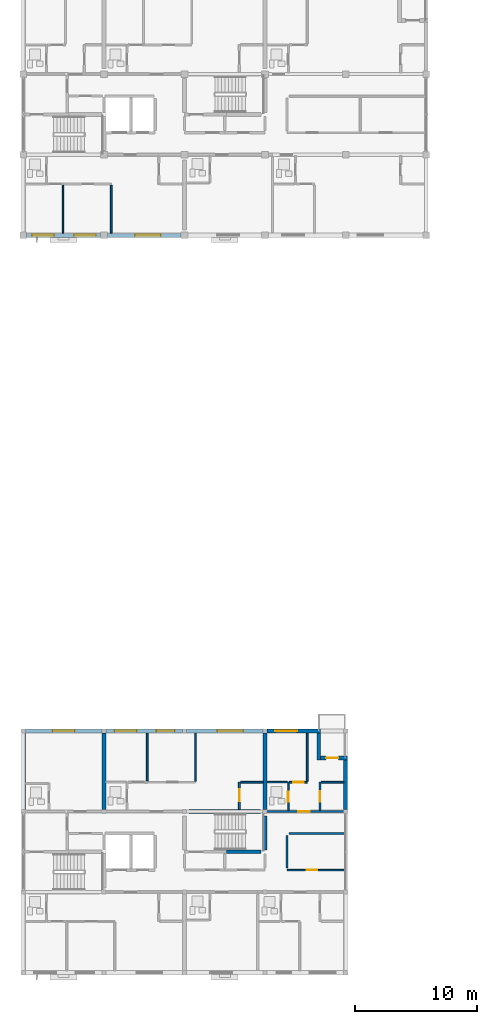
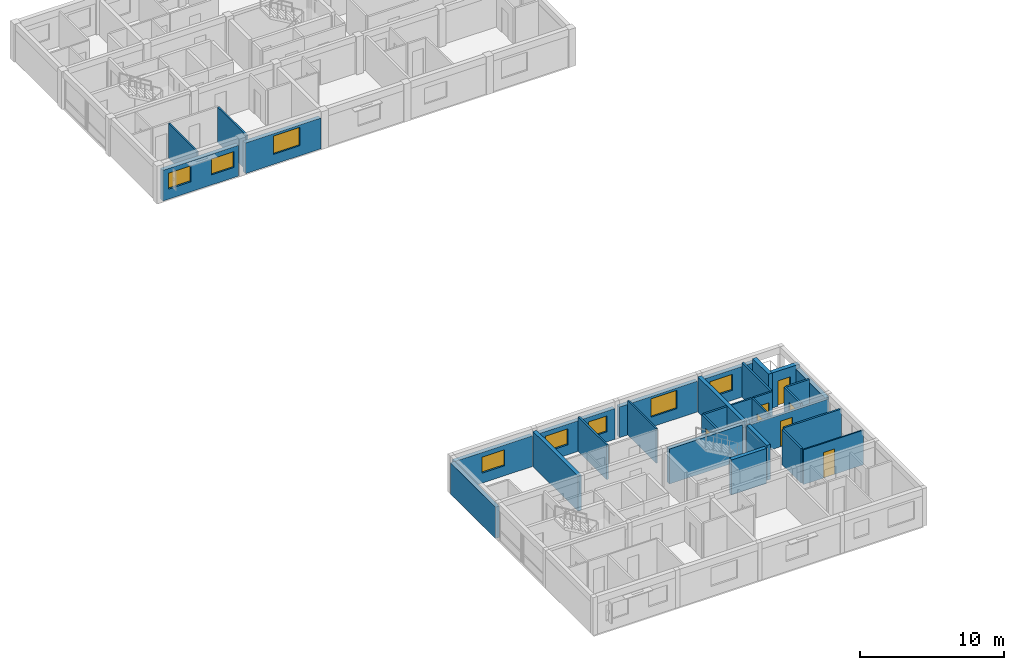
# One storey, part 29 of 53: 31 walls, 8 windows, 7 doors, 15 openings.
"""IFC4 building model written with IfcOpenShell, lengths in metres."""

import ifcopenshell
import ifcopenshell.guid

model = None  # the IFC model being written
_history = None  # IfcOwnerHistory: only IFC2X3 demands one
_inside = {}  # id of a spatial element -> (the spatial element, [elements in it])
_under = {}  # id of a project, library or spatial element -> (it, [spatial elements below it])
_declared = {}  # id of a project -> (the project, [libraries it declares])
_typed = {}  # id of a type object -> (the type object, [elements of that type])
_made_of = {}  # id of a material, layer set ... -> (it, [elements and type objects made of it])


def new_model(schema):
    """Start an empty IFC model of exactly this schema.

    Asked for "IFC4X3", IfcOpenShell would pick the latest addendum, in which some entities
    have other attributes; the version numbers below select the first issue.
    IFC2X3 requires an IfcOwnerHistory on every rooted entity: one is made here for all.
    """
    global model, _history
    if schema == "IFC4X3":
        model = ifcopenshell.file(schema_version=(4, 3, 0, 0))
    else:
        model = ifcopenshell.file(schema=schema)
    _inside.clear()
    _under.clear()
    _declared.clear()
    _typed.clear()
    _made_of.clear()
    _history = None
    if model.schema == "IFC2X3":
        org = make("IfcOrganization", Name="unknown")
        user = make(
            "IfcPersonAndOrganization",
            ThePerson=make("IfcPerson", FamilyName="unknown"),
            TheOrganization=org,
        )
        app = make(
            "IfcApplication",
            ApplicationDeveloper=org,
            Version="unknown",
            ApplicationFullName="unknown",
            ApplicationIdentifier="unknown",
        )
        _history = make(
            "IfcOwnerHistory",
            OwningUser=user,
            OwningApplication=app,
            ChangeAction="ADDED",
            CreationDate=0,
        )
    return model


def make(cls, **values):
    """One entity of the class cls with the attributes given. An attribute that is None is left unset."""
    return model.create_entity(
        cls, **{name: value for name, value in values.items() if value is not None}
    )


def rooted(cls, **values):
    """An entity with a GlobalId (a new one), such as an element, a storey or a relation."""
    return make(cls, GlobalId=ifcopenshell.guid.new(), OwnerHistory=_history, **values)


def si_unit(unit_type, name, prefix=None):
    """IfcSIUnit, for example si_unit("LENGTHUNIT", "METRE", prefix="MILLI")."""
    return make("IfcSIUnit", UnitType=unit_type, Prefix=prefix, Name=name)


def assignment(units):
    """IfcUnitAssignment: the units of a project."""
    return None if units is None else make("IfcUnitAssignment", Units=units)


def point(xyz):
    """IfcCartesianPoint."""
    return None if xyz is None else make("IfcCartesianPoint", Coordinates=xyz)


def direction(xyz):
    """IfcDirection."""
    return None if xyz is None else make("IfcDirection", DirectionRatios=xyz)


def frame(location, z_axis=None, x_axis=None):
    """IfcAxis2Placement3D, a coordinate frame: its origin and axes. An axis left out is left unset."""
    return make(
        "IfcAxis2Placement3D",
        Location=point(location),
        Axis=direction(z_axis),
        RefDirection=direction(x_axis),
    )


def frame_2d(location, x_axis=None):
    """IfcAxis2Placement2D, a coordinate frame in the plane: its origin and x axis."""
    return make(
        "IfcAxis2Placement2D", Location=point(location), RefDirection=direction(x_axis)
    )


def origin():
    """The frame at (0, 0, 0) with its axes left unset."""
    return frame((0.0, 0.0, 0.0))


def place(relative_to, where):
    """IfcLocalPlacement: puts the frame where relative to a parent placement (None: the world)."""
    return make(
        "IfcLocalPlacement", PlacementRelTo=relative_to, RelativePlacement=where
    )


def context(
    kind, dimensions, precision=None, world=None, true_north=None, identifier=None
):
    """IfcGeometricRepresentationContext, for example the 3D "Model" context."""
    return make(
        "IfcGeometricRepresentationContext",
        ContextIdentifier=identifier,
        ContextType=kind,
        CoordinateSpaceDimension=dimensions,
        Precision=precision,
        WorldCoordinateSystem=world,
        TrueNorth=true_north,
    )


def subcontext(parent, identifier, kind, view, scale=None):
    """IfcGeometricRepresentationSubContext, for example "Body" below "Model"."""
    return make(
        "IfcGeometricRepresentationSubContext",
        ContextIdentifier=identifier,
        ContextType=kind,
        ParentContext=parent,
        TargetScale=scale,
        TargetView=view,
    )


def project(units=None, contexts=None):
    """IfcProject with its units and contexts."""
    return rooted(
        "IfcProject",
        Name="project",
        RepresentationContexts=contexts,
        UnitsInContext=assignment(units),
    )


def spatial(cls, under=None, at=None, **own):
    """A site, building, storey or space (cls), placed at a placement, below another one or the project."""
    s = rooted(cls, ObjectPlacement=at, **own)
    if under is not None:
        _under.setdefault(under.id(), (under, []))[1].append(s)
    return s


def profile(cls, at=None, kind="AREA", **sizes):
    """A parametric profile (cls). Its sizes go by their IFC names, for example OverallWidth=200.0."""
    return make(cls, ProfileType=kind, Position=at, **sizes)


def rectangle(**sizes):
    """IfcRectangleProfileDef."""
    return profile("IfcRectangleProfileDef", **sizes)


def extrude(swept, where, along, depth):
    """IfcExtrudedAreaSolid: the profile swept, set in the frame where, extruded along a direction by depth."""
    return make(
        "IfcExtrudedAreaSolid",
        SweptArea=swept,
        Position=where,
        ExtrudedDirection=direction(along),
        Depth=depth,
    )


def shape(context_of_items, identifier, shape_type, items):
    """IfcShapeRepresentation: the items that make up one representation, for example the "Body"."""
    return make(
        "IfcShapeRepresentation",
        ContextOfItems=context_of_items,
        RepresentationIdentifier=identifier,
        RepresentationType=shape_type,
        Items=items,
    )


def material(Name=None, Category=None):
    """IfcMaterial."""
    return make("IfcMaterial", Name=Name, Category=Category)


def layer(
    of_material, thickness, ventilated=None, Name=None, Category=None, Priority=None
):
    """IfcMaterialLayer: one layer of a wall or slab, of a material (None: an air gap)."""
    return make(
        "IfcMaterialLayer",
        Material=of_material,
        LayerThickness=thickness,
        IsVentilated=ventilated,
        Name=Name,
        Category=Category,
        Priority=Priority,
    )


def layer_set(layers, Name=None):
    """IfcMaterialLayerSet."""
    return make("IfcMaterialLayerSet", MaterialLayers=layers, LayerSetName=Name)


def made_of(thing, what):
    """Note that an element or type object is made of a material, layer set ...; save() writes the relation."""
    if what is not None:
        _made_of.setdefault(what.id(), (what, []))[1].append(thing)
    return thing


def type_object(cls, material=None, **own):
    """A type object (cls), such as IfcWallType, which elements share."""
    return made_of(rooted(cls, **own), material)


def element(
    cls,
    number,
    at=None,
    inside=None,
    cuts=None,
    type_object=None,
    material=None,
    context=None,
    identifier="Body",
    shape_type=None,
    held_by="IfcProductDefinitionShape",
    body=None,
    shapes=None,
    **own,
):
    """One element of the class cls, such as IfcWall. Its Tag is "e" and its number.

    at: its placement. inside: the storey or other place that contains it. cuts: it is an
    opening in that element (IfcRelVoidsElement). A single representation is given by context,
    identifier, shape_type and body (its items); several are given by shapes. held_by: the class
    of the entity that holds the representations. save() writes the other relations.
    """
    e = rooted(cls, Tag="e%d" % number, ObjectPlacement=at, **own)
    if body is not None:
        shapes = [shape(context, identifier, shape_type, body)]
    if shapes is not None:
        e.Representation = make(held_by, Representations=shapes)
    if inside is not None:
        _inside.setdefault(inside.id(), (inside, []))[1].append(e)
    if cuts is not None:
        rooted(
            "IfcRelVoidsElement", RelatingBuildingElement=cuts, RelatedOpeningElement=e
        )
    if type_object is not None:
        _typed.setdefault(type_object.id(), (type_object, []))[1].append(e)
    return made_of(e, material)


def fill(opening, filler):
    """IfcRelFillsElement: the door or window that sits in an opening."""
    return rooted(
        "IfcRelFillsElement",
        RelatingOpeningElement=opening,
        RelatedBuildingElement=filler,
    )


def aggregate(whole, parts):
    """IfcRelAggregates: a whole, such as a stair, and the parts it consists of."""
    return rooted("IfcRelAggregates", RelatingObject=whole, RelatedObjects=parts)


def save(model, path):
    """Write the relations noted so far, then the file.

    IfcRelAggregates (storeys below a building ...), IfcRelContainedInSpatialStructure (elements
    in a storey), IfcRelDefinesByType, IfcRelAssociatesMaterial and IfcRelDeclares: one each for
    every whole, place, type object, material and project.
    """
    for whole, parts in _under.values():
        aggregate(whole, parts)
    for where, things in _inside.values():
        rooted(
            "IfcRelContainedInSpatialStructure",
            RelatedElements=things,
            RelatingStructure=where,
        )
    for kind, things in _typed.values():
        rooted("IfcRelDefinesByType", RelatedObjects=things, RelatingType=kind)
    for what, things in _made_of.values():
        rooted("IfcRelAssociatesMaterial", RelatedObjects=things, RelatingMaterial=what)
    for by, libraries in _declared.values():
        rooted("IfcRelDeclares", RelatingContext=by, RelatedDefinitions=libraries)
    model.write(path)


model = new_model("IFC4")

# Units and contexts
model_context = context("Model", 3, precision=1e-05, world=origin(), true_north=direction((0.0, 1.0)))
body_context = subcontext(model_context, "Body", "Model", "MODEL_VIEW")
ifc_project = project(units=[si_unit("LENGTHUNIT", "METRE"), si_unit("AREAUNIT", "SQUARE_METRE"), si_unit("VOLUMEUNIT", "CUBIC_METRE"), si_unit("PLANEANGLEUNIT", "RADIAN"), si_unit("MASSUNIT", "GRAM", prefix="KILO")], contexts=[model_context])

# Site, building, storey
site_placement = place(None, origin())
site = spatial("IfcSite", under=ifc_project, at=site_placement, CompositionType="ELEMENT")
building_placement = place(site_placement, origin())
building = spatial("IfcBuilding", under=site, at=building_placement, Name="Kernevlak Ridge Housing Community", CompositionType="ELEMENT")
storey_placement = place(building_placement, frame((0.0, 0.0, 24.39990234375)))
storey = spatial("IfcBuildingStorey", under=building, at=storey_placement, Name="L07", CompositionType="ELEMENT", Elevation=24.39990234375)

# Wall, openings, windows
ifc_material_1 = material(Name="Concrete block masonry M10", Category="masonry")
ifc_layer_1 = layer(ifc_material_1, 0.320068359375, Name="Concrete block masonry M10")
ifc_layer_set_1 = layer_set([ifc_layer_1], Name="Concrete block masonry M10")
wall_type_1 = type_object("IfcWallType", Name="EW-02", PredefinedType="STANDARD", material=ifc_layer_set_1)
wall_1_placement = place(storey_placement, frame((15.875, 76.0, 0.0), z_axis=(0.0, 0.0, 1.0), x_axis=(1.0, 0.0, 0.0)))
wall_1 = element("IfcWall", 1, at=wall_1_placement, inside=storey, type_object=wall_type_1, Name="Exterior wall EW-02 L07 109", PredefinedType="STANDARD", context=body_context, shape_type="SweptSolid", body=[
    extrude(rectangle(XDim=6.050048828125, YDim=0.320068359375, at=frame_2d((3.02490234375, 0.0))), origin(), (0.0, 0.0, 1.0), 2.60009765625),
])
opening_1_placement = place(wall_1_placement, frame((0.449951171875, 0.0, 0.85009765625)))
opening_1 = element("IfcOpeningElement", 2, at=opening_1_placement, cuts=wall_1, Name="Opening WT-03", PredefinedType="OPENING", context=body_context, shape_type="SweptSolid", body=[
    extrude(rectangle(XDim=1.800048828125, YDim=1.35009765625, at=frame_2d((0.89990234375, 0.675048828125))), frame((0.0, 0.169921875, 0.0), z_axis=(0.0, -1.0, 0.0), x_axis=(1.0, 0.0, 0.0)), (0.0, 0.0, 1.0), 0.340087890625),
])
opening_2_placement = place(wall_1_placement, frame((3.875, 0.0, 0.85009765625)))
opening_2 = element("IfcOpeningElement", 3, at=opening_2_placement, cuts=wall_1, Name="Opening WT-03", PredefinedType="OPENING", context=body_context, shape_type="SweptSolid", body=[
    extrude(rectangle(XDim=1.800048828125, YDim=1.35009765625, at=frame_2d((0.89990234375, 0.675048828125))), frame((0.0, 0.169921875, 0.0), z_axis=(0.0, -1.0, 0.0), x_axis=(1.0, 0.0, 0.0)), (0.0, 0.0, 1.0), 0.340087890625),
])
ifc_material_2 = material(Name="Aluminium EN AW-6060 anodised and laminated glass", Category="aluminium")
window_type_1 = type_object("IfcWindowType", Name="WT-03", PartitioningType="SINGLE_PANEL", PredefinedType="WINDOW", material=ifc_material_2)
window_1_placement = place(opening_1_placement, origin())
window_1 = element("IfcWindow", 4, at=window_1_placement, inside=storey, type_object=window_type_1, Name="Window WT-03 L07 83", OverallHeight=1.35009765625, OverallWidth=1.800048828125, PartitioningType="SINGLE_PANEL", PredefinedType="WINDOW", context=body_context, shape_type="SweptSolid", body=[
    extrude(rectangle(XDim=1.800048828125, YDim=1.35009765625, at=frame_2d((0.89990234375, 0.675048828125))), frame((0.0, 0.030029296875, 0.0), z_axis=(0.0, -1.0, 0.0), x_axis=(1.0, 0.0, 0.0)), (0.0, 0.0, 1.0), 0.06005859375),
])
fill(opening_1, window_1)
window_2_placement = place(opening_2_placement, origin())
window_2 = element("IfcWindow", 5, at=window_2_placement, inside=storey, type_object=window_type_1, Name="Window WT-03 L07 84", OverallHeight=1.35009765625, OverallWidth=1.800048828125, PartitioningType="SINGLE_PANEL", PredefinedType="WINDOW", context=body_context, shape_type="SweptSolid", body=[
    extrude(rectangle(XDim=1.800048828125, YDim=1.35009765625, at=frame_2d((0.89990234375, 0.675048828125))), frame((0.0, 0.030029296875, 0.0), z_axis=(0.0, -1.0, 0.0), x_axis=(1.0, 0.0, 0.0)), (0.0, 0.0, 1.0), 0.06005859375),
])
fill(opening_2, window_2)

# Wall, opening, window
wall_2_placement = place(storey_placement, frame((22.47509765625, 76.0, 0.0), z_axis=(0.0, 0.0, 1.0), x_axis=(1.0, 0.0, 0.0)))
wall_2 = element("IfcWall", 6, at=wall_2_placement, inside=storey, type_object=wall_type_1, Name="Exterior wall EW-02 L07 110", PredefinedType="STANDARD", context=body_context, shape_type="SweptSolid", body=[
    extrude(rectangle(XDim=6.0498046875, YDim=0.320068359375, at=frame_2d((3.02490234375, 0.0))), origin(), (0.0, 0.0, 1.0), 2.60009765625),
])
opening_3_placement = place(wall_2_placement, frame((2.27099609375, 0.0, 0.85009765625)))
opening_3 = element("IfcOpeningElement", 7, at=opening_3_placement, cuts=wall_2, Name="Opening WT-05", PredefinedType="OPENING", context=body_context, shape_type="SweptSolid", body=[
    extrude(rectangle(XDim=2.10009765625, YDim=1.550048828125, at=frame_2d((1.050048828125, 0.77490234375))), frame((0.0, 0.169921875, 0.0), z_axis=(0.0, -1.0, 0.0), x_axis=(1.0, 0.0, 0.0)), (0.0, 0.0, 1.0), 0.340087890625),
])
window_type_2 = type_object("IfcWindowType", Name="WT-05", PartitioningType="SINGLE_PANEL", PredefinedType="WINDOW", material=ifc_material_2)
window_3_placement = place(opening_3_placement, origin())
window_3 = element("IfcWindow", 8, at=window_3_placement, inside=storey, type_object=window_type_2, Name="Window WT-05 L07 85", OverallHeight=1.550048828125, OverallWidth=2.10009765625, PartitioningType="SINGLE_PANEL", PredefinedType="WINDOW", context=body_context, shape_type="SweptSolid", body=[
    extrude(rectangle(XDim=2.10009765625, YDim=1.550048828125, at=frame_2d((1.050048828125, 0.77490234375))), frame((0.0, 0.030029296875, 0.0), z_axis=(0.0, -1.0, 0.0), x_axis=(1.0, 0.0, 0.0)), (0.0, 0.0, 1.0), 0.06005859375),
])
fill(opening_3, window_3)

wall_3_placement = place(storey_placement, frame((15.77490234375, 35.39990234375, 0.0), z_axis=(0.0, 0.0, 1.0), x_axis=(1.0, 0.0, 0.0)))
wall_3 = element("IfcWall", 9, at=wall_3_placement, inside=storey, type_object=wall_type_1, Name="Exterior wall EW-02 L07 813", PredefinedType="STANDARD", context=body_context, shape_type="SweptSolid", body=[
    extrude(rectangle(XDim=6.25, YDim=0.320068359375, at=frame_2d((3.125, 0.0))), origin(), (0.0, 0.0, 1.0), 2.60009765625),
])
opening_4_placement = place(wall_3_placement, frame((2.22509765625, 0.0, 0.85009765625)))
opening_4 = element("IfcOpeningElement", 10, at=opening_4_placement, cuts=wall_3, Name="Opening WT-03", PredefinedType="OPENING", context=body_context, shape_type="SweptSolid", body=[
    extrude(rectangle(XDim=1.800048828125, YDim=1.35009765625, at=frame_2d((0.89990234375, 0.675048828125))), frame((0.0, 0.169921875, 0.0), z_axis=(0.0, -1.0, 0.0), x_axis=(1.0, 0.0, 0.0)), (0.0, 0.0, 1.0), 0.340087890625),
])
window_4_placement = place(opening_4_placement, origin())
window_4 = element("IfcWindow", 11, at=window_4_placement, inside=storey, type_object=window_type_1, Name="Window WT-03 L07 678", OverallHeight=1.35009765625, OverallWidth=1.800048828125, PartitioningType="SINGLE_PANEL", PredefinedType="WINDOW", context=body_context, shape_type="SweptSolid", body=[
    extrude(rectangle(XDim=1.800048828125, YDim=1.35009765625, at=frame_2d((0.89990234375, 0.675048828125))), frame((0.0, 0.030029296875, 0.0), z_axis=(0.0, -1.0, 0.0), x_axis=(1.0, 0.0, 0.0)), (0.0, 0.0, 1.0), 0.06005859375),
])
fill(opening_4, window_4)

# Wall, openings, windows
wall_4_placement = place(storey_placement, frame((22.375, 35.39990234375, 0.0), z_axis=(0.0, 0.0, 1.0), x_axis=(1.0, 0.0, 0.0)))
wall_4 = element("IfcWall", 12, at=wall_4_placement, inside=storey, type_object=wall_type_1, Name="Exterior wall EW-02 L07 814", PredefinedType="STANDARD", context=body_context, shape_type="SweptSolid", body=[
    extrude(rectangle(XDim=6.25, YDim=0.320068359375, at=frame_2d((3.125, 0.0))), origin(), (0.0, 0.0, 1.0), 2.60009765625),
])
opening_5_placement = place(wall_4_placement, frame((0.699951171875, 0.0, 0.85009765625)))
opening_5 = element("IfcOpeningElement", 13, at=opening_5_placement, cuts=wall_4, Name="Opening WT-03", PredefinedType="OPENING", context=body_context, shape_type="SweptSolid", body=[
    extrude(rectangle(XDim=1.800048828125, YDim=1.35009765625, at=frame_2d((0.89990234375, 0.675048828125))), frame((0.0, 0.169921875, 0.0), z_axis=(0.0, -1.0, 0.0), x_axis=(1.0, 0.0, 0.0)), (0.0, 0.0, 1.0), 0.340087890625),
])
opening_6_placement = place(wall_4_placement, frame((4.125, 0.0, 0.85009765625)))
opening_6 = element("IfcOpeningElement", 14, at=opening_6_placement, cuts=wall_4, Name="Opening WT-02", PredefinedType="OPENING", context=body_context, shape_type="SweptSolid", body=[
    extrude(rectangle(XDim=1.5, YDim=1.35009765625, at=frame_2d((0.75, 0.675048828125))), frame((0.0, 0.169921875, 0.0), z_axis=(0.0, -1.0, 0.0), x_axis=(1.0, 0.0, 0.0)), (0.0, 0.0, 1.0), 0.340087890625),
])
window_type_3 = type_object("IfcWindowType", Name="WT-02", PartitioningType="SINGLE_PANEL", PredefinedType="WINDOW", material=ifc_material_2)
window_5_placement = place(opening_6_placement, origin())
window_5 = element("IfcWindow", 15, at=window_5_placement, inside=storey, type_object=window_type_3, Name="Window WT-02 L07 680", OverallHeight=1.35009765625, OverallWidth=1.5, PartitioningType="SINGLE_PANEL", PredefinedType="WINDOW", context=body_context, shape_type="SweptSolid", body=[
    extrude(rectangle(XDim=1.5, YDim=1.35009765625, at=frame_2d((0.75, 0.675048828125))), frame((0.0, 0.030029296875, 0.0), z_axis=(0.0, -1.0, 0.0), x_axis=(1.0, 0.0, 0.0)), (0.0, 0.0, 1.0), 0.06005859375),
])
fill(opening_6, window_5)
window_6_placement = place(opening_5_placement, origin())
window_6 = element("IfcWindow", 16, at=window_6_placement, inside=storey, type_object=window_type_1, Name="Window WT-03 L07 679", OverallHeight=1.35009765625, OverallWidth=1.800048828125, PartitioningType="SINGLE_PANEL", PredefinedType="WINDOW", context=body_context, shape_type="SweptSolid", body=[
    extrude(rectangle(XDim=1.800048828125, YDim=1.35009765625, at=frame_2d((0.89990234375, 0.675048828125))), frame((0.0, 0.030029296875, 0.0), z_axis=(0.0, -1.0, 0.0), x_axis=(1.0, 0.0, 0.0)), (0.0, 0.0, 1.0), 0.06005859375),
])
fill(opening_5, window_6)

# Wall, opening, window
wall_5_placement = place(storey_placement, frame((28.97509765625, 35.39990234375, 0.0), z_axis=(0.0, 0.0, 1.0), x_axis=(1.0, 0.0, 0.0)))
wall_5 = element("IfcWall", 17, at=wall_5_placement, inside=storey, type_object=wall_type_1, Name="Exterior wall EW-02 L07 815", PredefinedType="STANDARD", context=body_context, shape_type="SweptSolid", body=[
    extrude(rectangle(XDim=6.25, YDim=0.320068359375, at=frame_2d((3.125, 0.0))), origin(), (0.0, 0.0, 1.0), 2.60009765625),
])
opening_7_placement = place(wall_5_placement, frame((2.52099609375, 0.0, 0.85009765625)))
opening_7 = element("IfcOpeningElement", 18, at=opening_7_placement, cuts=wall_5, Name="Opening WT-05", PredefinedType="OPENING", context=body_context, shape_type="SweptSolid", body=[
    extrude(rectangle(XDim=2.10009765625, YDim=1.550048828125, at=frame_2d((1.050048828125, 0.77490234375))), frame((0.0, 0.169921875, 0.0), z_axis=(0.0, -1.0, 0.0), x_axis=(1.0, 0.0, 0.0)), (0.0, 0.0, 1.0), 0.340087890625),
])
window_7_placement = place(opening_7_placement, origin())
window_7 = element("IfcWindow", 19, at=window_7_placement, inside=storey, type_object=window_type_2, Name="Window WT-05 L07 681", OverallHeight=1.550048828125, OverallWidth=2.10009765625, PartitioningType="SINGLE_PANEL", PredefinedType="WINDOW", context=body_context, shape_type="SweptSolid", body=[
    extrude(rectangle(XDim=2.10009765625, YDim=1.550048828125, at=frame_2d((1.050048828125, 0.77490234375))), frame((0.0, 0.030029296875, 0.0), z_axis=(0.0, -1.0, 0.0), x_axis=(1.0, 0.0, 0.0)), (0.0, 0.0, 1.0), 0.06005859375),
])
fill(opening_7, window_7)

wall_6_placement = place(storey_placement, frame((35.574951171875, 35.39990234375, 0.0), z_axis=(0.0, 0.0, 1.0), x_axis=(1.0, 0.0, 0.0)))
wall_6 = element("IfcWall", 20, at=wall_6_placement, inside=storey, type_object=wall_type_1, Name="Exterior wall EW-02 L07 816", PredefinedType="STANDARD", context=body_context, shape_type="SweptSolid", body=[
    extrude(rectangle(XDim=4.385009765625, YDim=0.320068359375, at=frame_2d((2.1923828125, 0.0))), origin(), (0.0, 0.0, 1.0), 2.60009765625),
])
opening_8_placement = place(wall_6_placement, frame((0.64990234375, 0.0, 0.85009765625)))
opening_8 = element("IfcOpeningElement", 21, at=opening_8_placement, cuts=wall_6, Name="Opening WT-03", PredefinedType="OPENING", context=body_context, shape_type="SweptSolid", body=[
    extrude(rectangle(XDim=1.800048828125, YDim=1.35009765625, at=frame_2d((0.89990234375, 0.675048828125))), frame((0.0, 0.169921875, 0.0), z_axis=(0.0, -1.0, 0.0), x_axis=(1.0, 0.0, 0.0)), (0.0, 0.0, 1.0), 0.340087890625),
])
window_8_placement = place(opening_8_placement, origin())
window_8 = element("IfcWindow", 22, at=window_8_placement, inside=storey, type_object=window_type_1, Name="Window WT-03 L07 682", OverallHeight=1.35009765625, OverallWidth=1.800048828125, PartitioningType="SINGLE_PANEL", PredefinedType="WINDOW", context=body_context, shape_type="SweptSolid", body=[
    extrude(rectangle(XDim=1.800048828125, YDim=1.35009765625, at=frame_2d((0.89990234375, 0.675048828125))), frame((0.0, 0.030029296875, 0.0), z_axis=(0.0, -1.0, 0.0), x_axis=(1.0, 0.0, 0.0)), (0.0, 0.0, 1.0), 0.06005859375),
])
fill(opening_8, window_8)

# Wall
wall_7_placement = place(storey_placement, frame((39.800048828125, 35.239990234375, 0.0), z_axis=(0.0, 0.0, 1.0), x_axis=(0.0, -1.0, 0.0)))
element("IfcWall", 23, at=wall_7_placement, inside=storey, type_object=wall_type_1, Name="Exterior wall EW-02 L07 817", PredefinedType="STANDARD", context=body_context, shape_type="SweptSolid", body=[
    extrude(rectangle(XDim=2.199951171875, YDim=0.320068359375, at=frame_2d((1.10009765625, 0.0))), origin(), (0.0, 0.0, 1.0), 2.97021484375),
])

# Wall, opening, door
wall_8_placement = place(storey_placement, frame((39.9599609375, 33.199951171875, 0.0), z_axis=(0.0, 0.0, 1.0), x_axis=(1.0, 0.0, 0.0)))
wall_8 = element("IfcWall", 24, at=wall_8_placement, inside=storey, type_object=wall_type_1, Name="Exterior wall EW-02 L07 818", PredefinedType="STANDARD", context=body_context, shape_type="SweptSolid", body=[
    extrude(rectangle(XDim=2.199951171875, YDim=0.320068359375, at=frame_2d((1.10009765625, 0.0))), origin(), (0.0, 0.0, 1.0), 2.97021484375),
])
opening_9_placement = place(wall_8_placement, frame((0.43994140625, 0.0, 0.0)))
opening_9 = element("IfcOpeningElement", 25, at=opening_9_placement, cuts=wall_8, Name="Opening E734", PredefinedType="OPENING", context=body_context, shape_type="SweptSolid", body=[
    extrude(rectangle(XDim=1.0, YDim=2.14990234375, at=frame_2d((0.5, 1.074951171875))), frame((0.0, 0.169921875, 0.0), z_axis=(0.0, -1.0, 0.0), x_axis=(1.0, 0.0, 0.0)), (0.0, 0.0, 1.0), 0.340087890625),
])
ifc_material_3 = material(Name="Aluminium EN AW-6060 and laminated safety glass", Category="aluminium")
door_type_1 = type_object("IfcDoorType", Name="DT-08", OperationType="NOTDEFINED", PredefinedType="DOOR", material=ifc_material_3)
door_1_placement = place(opening_9_placement, origin())
door_1 = element("IfcDoor", 26, at=door_1_placement, inside=storey, type_object=door_type_1, Name="Flat D0723 corner balcony glazed door E734", OperationType="SINGLE_SWING_LEFT", OverallHeight=2.14990234375, OverallWidth=1.0, PredefinedType="DOOR", context=body_context, shape_type="SweptSolid", body=[
    extrude(rectangle(XDim=1.0, YDim=2.14990234375, at=frame_2d((0.5, 1.074951171875))), frame((0.0, 0.02490234375, 0.0), z_axis=(0.0, -1.0, 0.0), x_axis=(1.0, 0.0, 0.0)), (0.0, 0.0, 1.0), 0.050048828125),
])
fill(opening_9, door_1)

# Walls
wall_9_placement = place(storey_placement, frame((15.60009765625, 28.97509765625, 0.0), z_axis=(0.0, 0.0, 1.0), x_axis=(0.0, 1.0, 0.0)))
element("IfcWall", 27, at=wall_9_placement, inside=storey, type_object=wall_type_1, Name="Exterior wall EW-02 L07 820", PredefinedType="STANDARD", context=body_context, shape_type="SweptSolid", body=[
    extrude(rectangle(XDim=6.25, YDim=0.320068359375, at=frame_2d((3.125, 0.0))), origin(), (0.0, 0.0, 1.0), 2.650146484375),
])
wall_10_placement = place(storey_placement, frame((42.0, 28.97509765625, 0.0), z_axis=(0.0, 0.0, 1.0), x_axis=(0.0, 1.0, 0.0)))
element("IfcWall", 28, at=wall_10_placement, inside=storey, type_object=wall_type_1, Name="Exterior wall EW-02 L07 822", PredefinedType="STANDARD", context=body_context, shape_type="SweptSolid", body=[
    extrude(rectangle(XDim=4.06494140625, YDim=0.320068359375, at=frame_2d((2.032470703125, 0.0))), origin(), (0.0, 0.0, 1.0), 2.650146484375),
])

# Wall, opening, door
ifc_layer_2 = layer(ifc_material_1, 0.175048828125, Name="Concrete block masonry M10")
ifc_layer_set_2 = layer_set([ifc_layer_2], Name="Concrete block masonry M10")
wall_type_2 = type_object("IfcWallType", Name="PW-02", PredefinedType="PARTITIONING", material=ifc_layer_set_2)
wall_11_placement = place(storey_placement, frame((35.39990234375, 28.800048828125, 0.0), z_axis=(0.0, 0.0, 1.0), x_axis=(1.0, 0.0, 0.0)))
wall_11 = element("IfcWall", 29, at=wall_11_placement, inside=storey, type_object=wall_type_2, Name="Interior wall PW-02 WAL-INT-L07-3412", PredefinedType="PARTITIONING", context=body_context, shape_type="SweptSolid", body=[
    extrude(rectangle(XDim=6.60009765625, YDim=0.175048828125, at=frame_2d((3.300048828125, 0.0))), origin(), (0.0, 0.0, 1.0), 2.7001953125),
])
opening_10_placement = place(wall_11_placement, frame((2.72509765625, 0.0, 0.0)))
opening_10 = element("IfcOpeningElement", 30, at=opening_10_placement, cuts=wall_11, Name="Opening E730", PredefinedType="OPENING", context=body_context, shape_type="SweptSolid", body=[
    extrude(rectangle(XDim=0.949951171875, YDim=2.159912109375, at=frame_2d((0.47509765625, 1.080078125))), frame((0.0, 0.097412109375, 0.0), z_axis=(0.0, -1.0, 0.0), x_axis=(1.0, 0.0, 0.0)), (0.0, 0.0, 1.0), 0.195068359375),
])
ifc_material_4 = material(Name="Hardwood timber solid-core fire leaf", Category="wood")
door_type_2 = type_object("IfcDoorType", Name="DT-02", OperationType="NOTDEFINED", PredefinedType="DOOR", material=ifc_material_4)
door_2_placement = place(opening_10_placement, origin())
door_2 = element("IfcDoor", 31, at=door_2_placement, inside=storey, type_object=door_type_2, Name="Flat D0723 entrance fire door E730", OperationType="SINGLE_SWING_LEFT", OverallHeight=2.159912109375, OverallWidth=0.949951171875, PredefinedType="DOOR", context=body_context, shape_type="SweptSolid", body=[
    extrude(rectangle(XDim=0.949951171875, YDim=2.159912109375, at=frame_2d((0.47509765625, 1.080078125))), frame((0.0, 0.02490234375, 0.0), z_axis=(0.0, -1.0, 0.0), x_axis=(1.0, 0.0, 0.0)), (0.0, 0.0, 1.0), 0.050048828125),
])
fill(opening_10, door_2)

# Walls
ifc_layer_3 = layer(ifc_material_1, 0.14501953125, Name="Concrete block masonry M10")
ifc_layer_set_3 = layer_set([ifc_layer_3], Name="Concrete block masonry M10")
wall_type_3 = type_object("IfcWallType", Name="PW-03", PredefinedType="PARTITIONING", material=ifc_layer_set_3)
wall_12_placement = place(storey_placement, frame((22.7919921875, 80.117431640625, 0.0), z_axis=(0.0, 0.0, 1.0), x_axis=(0.0, -1.0, 0.0)))
element("IfcWall", 32, at=wall_12_placement, inside=storey, type_object=wall_type_3, Name="Interior wall PW-03 WAL-INT-L07-0468", PredefinedType="PARTITIONING", context=body_context, shape_type="SweptSolid", body=[
    extrude(rectangle(XDim=3.947509765625, YDim=0.14501953125, at=frame_2d((1.9736328125, 0.0))), origin(), (0.0, 0.0, 1.0), 2.97021484375),
])
wall_13_placement = place(storey_placement, frame((37.3798828125, 27.0, 0.0), z_axis=(0.0, 0.0, 1.0), x_axis=(1.0, 0.0, 0.0)))
element("IfcWall", 33, at=wall_13_placement, inside=storey, type_object=wall_type_3, Name="Interior wall PW-03 WAL-INT-L07-3377", PredefinedType="PARTITIONING", context=body_context, shape_type="SweptSolid", body=[
    extrude(rectangle(XDim=4.60009765625, YDim=0.14501953125, at=frame_2d((2.300048828125, 0.0))), origin(), (0.0, 0.0, 1.0), 2.93505859375),
])
wall_14_placement = place(storey_placement, frame((37.199951171875, 24.179931640625, 0.0), z_axis=(0.0, 0.0, 1.0), x_axis=(0.0, 1.0, 0.0)))
element("IfcWall", 34, at=wall_14_placement, inside=storey, type_object=wall_type_3, Name="Interior wall PW-03 WAL-INT-L07-3378", PredefinedType="PARTITIONING", context=body_context, shape_type="SweptSolid", body=[
    extrude(rectangle(XDim=2.64013671875, YDim=0.14501953125, at=frame_2d((1.320068359375, 0.0))), origin(), (0.0, 0.0, 1.0), 2.93505859375),
])
wall_15_placement = place(storey_placement, frame((25.75, 31.282470703125, 0.0), z_axis=(0.0, 0.0, 1.0), x_axis=(0.0, 1.0, 0.0)))
element("IfcWall", 35, at=wall_15_placement, inside=storey, type_object=wall_type_3, Name="Interior wall PW-03 WAL-INT-L07-3409", PredefinedType="PARTITIONING", context=body_context, shape_type="SweptSolid", body=[
    extrude(rectangle(XDim=3.947509765625, YDim=0.14501953125, at=frame_2d((1.9736328125, 0.0))), origin(), (0.0, 0.0, 1.0), 2.93505859375),
])

# Wall, opening, door
wall_16_placement = place(storey_placement, frame((37.37255859375, 31.199951171875, 0.0), z_axis=(0.0, 0.0, 1.0), x_axis=(1.0, 0.0, 0.0)))
wall_16 = element("IfcWall", 36, at=wall_16_placement, inside=storey, type_object=wall_type_3, Name="Interior wall PW-03 WAL-INT-L07-3417", PredefinedType="PARTITIONING", context=body_context, shape_type="SweptSolid", body=[
    extrude(rectangle(XDim=1.4775390625, YDim=0.14501953125, at=frame_2d((0.73876953125, 0.0))), origin(), (0.0, 0.0, 1.0), 2.93505859375),
])
opening_11_placement = place(wall_16_placement, frame((0.35009765625, 0.0, 0.0)))
opening_11 = element("IfcOpeningElement", 37, at=opening_11_placement, cuts=wall_16, Name="Opening E733", PredefinedType="OPENING", context=body_context, shape_type="SweptSolid", body=[
    extrude(rectangle(XDim=0.85009765625, YDim=2.10009765625, at=frame_2d((0.425048828125, 1.050048828125))), frame((0.0, 0.08251953125, 0.0), z_axis=(0.0, -1.0, 0.0), x_axis=(1.0, 0.0, 0.0)), (0.0, 0.0, 1.0), 0.1650390625),
])
ifc_material_5 = material(Name="Hardwood timber leaf", Category="wood")
door_type_3 = type_object("IfcDoorType", Name="DT-03", OperationType="NOTDEFINED", PredefinedType="DOOR", material=ifc_material_5)
door_3_placement = place(opening_11_placement, origin())
door_3 = element("IfcDoor", 38, at=door_3_placement, inside=storey, type_object=door_type_3, Name="Flat D0723 bedroom door E733", OperationType="SINGLE_SWING_RIGHT", OverallHeight=2.10009765625, OverallWidth=0.85009765625, PredefinedType="DOOR", context=body_context, shape_type="SweptSolid", body=[
    extrude(rectangle(XDim=0.85009765625, YDim=2.10009765625, at=frame_2d((0.425048828125, 1.050048828125))), frame((0.0, 0.02490234375, 0.0), z_axis=(0.0, -1.0, 0.0), x_axis=(1.0, 0.0, 0.0)), (0.0, 0.0, 1.0), 0.050048828125),
])
fill(opening_11, door_3)

# Wall
wall_17_placement = place(storey_placement, frame((38.85009765625, 31.282470703125, 0.0), z_axis=(0.0, 0.0, 1.0), x_axis=(0.0, 1.0, 0.0)))
element("IfcWall", 39, at=wall_17_placement, inside=storey, type_object=wall_type_3, Name="Interior wall PW-03 WAL-INT-L07-3418", PredefinedType="PARTITIONING", context=body_context, shape_type="SweptSolid", body=[
    extrude(rectangle(XDim=3.947509765625, YDim=0.14501953125, at=frame_2d((1.9736328125, 0.0))), origin(), (0.0, 0.0, 1.0), 2.93505859375),
])

# Wall, opening, door
ifc_material_6 = material(Name="Gypsum plasterboard EN 520", Category="gypsum")
ifc_layer_4 = layer(ifc_material_6, 0.125, Name="Gypsum plasterboard EN 520")
ifc_layer_set_4 = layer_set([ifc_layer_4], Name="Gypsum plasterboard EN 520")
wall_type_4 = type_object("IfcWallType", Name="PW-04", PredefinedType="PARTITIONING", material=ifc_layer_set_4)
wall_18_placement = place(storey_placement, frame((37.300048828125, 28.8974609375, 0.0), z_axis=(0.0, 0.0, 1.0), x_axis=(0.0, 1.0, 0.0)))
wall_18 = element("IfcWall", 40, at=wall_18_placement, inside=storey, type_object=wall_type_4, Name="Interior wall PW-04 WAL-INT-L07-3413", PredefinedType="PARTITIONING", context=body_context, shape_type="SweptSolid", body=[
    extrude(rectangle(XDim=2.302490234375, YDim=0.125, at=frame_2d((1.1513671875, 0.0))), origin(), (0.0, 0.0, 1.0), 2.93505859375),
])
opening_12_placement = place(wall_18_placement, frame((0.699951171875, 0.0, 0.0)))
opening_12 = element("IfcOpeningElement", 41, at=opening_12_placement, cuts=wall_18, Name="Opening E731", PredefinedType="OPENING", context=body_context, shape_type="SweptSolid", body=[
    extrude(rectangle(XDim=0.840087890625, YDim=2.06005859375, at=frame_2d((0.419921875, 1.030029296875))), frame((0.0, 0.072509765625, 0.0), z_axis=(0.0, -1.0, 0.0), x_axis=(1.0, 0.0, 0.0)), (0.0, 0.0, 1.0), 0.14501953125),
])
ifc_material_7 = material(Name="Hardwood timber moisture-resistant leaf", Category="wood")
door_type_4 = type_object("IfcDoorType", Name="DT-27", OperationType="NOTDEFINED", PredefinedType="DOOR", material=ifc_material_7)
door_4_placement = place(opening_12_placement, origin())
door_4 = element("IfcDoor", 42, at=door_4_placement, inside=storey, type_object=door_type_4, Name="Flat D0723 bathroom door E731", OperationType="SINGLE_SWING_RIGHT", OverallHeight=2.06005859375, OverallWidth=0.840087890625, PredefinedType="DOOR", context=body_context, shape_type="SweptSolid", body=[
    extrude(rectangle(XDim=0.840087890625, YDim=2.06005859375, at=frame_2d((0.419921875, 1.030029296875))), frame((0.0, 0.02490234375, 0.0), z_axis=(0.0, -1.0, 0.0), x_axis=(1.0, 0.0, 0.0)), (0.0, 0.0, 1.0), 0.050048828125),
])
fill(opening_12, door_4)

# Wall
wall_19_placement = place(storey_placement, frame((35.56005859375, 31.199951171875, 0.0), z_axis=(0.0, 0.0, 1.0), x_axis=(1.0, 0.0, 0.0)))
element("IfcWall", 43, at=wall_19_placement, inside=storey, type_object=wall_type_4, Name="Interior wall PW-04 WAL-INT-L07-3414", PredefinedType="PARTITIONING", context=body_context, shape_type="SweptSolid", body=[
    extrude(rectangle(XDim=1.659912109375, YDim=0.125, at=frame_2d((0.830078125, 0.0))), origin(), (0.0, 0.0, 1.0), 2.93505859375),
])

# Wall, opening, door
ifc_layer_5 = layer(ifc_material_6, 0.155029296875, Name="Gypsum plasterboard EN 520")
ifc_layer_set_5 = layer_set([ifc_layer_5], Name="Gypsum plasterboard EN 520")
wall_type_5 = type_object("IfcWallType", Name="PW-05", PredefinedType="PARTITIONING", material=ifc_layer_set_5)
wall_20_placement = place(storey_placement, frame((33.300048828125, 28.9599609375, 0.0), z_axis=(0.0, 0.0, 1.0), x_axis=(0.0, 1.0, 0.0)))
wall_20 = element("IfcWall", 44, at=wall_20_placement, inside=storey, type_object=wall_type_5, Name="Interior wall PW-05 WAL-INT-L07-3406", PredefinedType="PARTITIONING", context=body_context, shape_type="SweptSolid", body=[
    extrude(rectangle(XDim=2.239990234375, YDim=0.155029296875, at=frame_2d((1.1201171875, 0.0))), origin(), (0.0, 0.0, 1.0), 2.93505859375),
])
opening_13_placement = place(wall_20_placement, frame((0.699951171875, 0.0, 0.0)))
opening_13 = element("IfcOpeningElement", 45, at=opening_13_placement, cuts=wall_20, Name="Opening E727", PredefinedType="OPENING", context=body_context, shape_type="SweptSolid", body=[
    extrude(rectangle(XDim=0.97998046875, YDim=2.1201171875, at=frame_2d((0.489990234375, 1.06005859375))), frame((0.0, 0.08740234375, 0.0), z_axis=(0.0, -1.0, 0.0), x_axis=(1.0, 0.0, 0.0)), (0.0, 0.0, 1.0), 0.175048828125),
])
door_type_5 = type_object("IfcDoorType", Name="DT-24", OperationType="NOTDEFINED", PredefinedType="DOOR", material=ifc_material_5)
door_5_placement = place(opening_13_placement, origin())
door_5 = element("IfcDoor", 46, at=door_5_placement, inside=storey, type_object=door_type_5, Name="Flat D0722 kitchen door E727", OperationType="SINGLE_SWING_RIGHT", OverallHeight=2.1201171875, OverallWidth=0.97998046875, PredefinedType="DOOR", context=body_context, shape_type="SweptSolid", body=[
    extrude(rectangle(XDim=0.97998046875, YDim=2.1201171875, at=frame_2d((0.489990234375, 1.06005859375))), frame((0.0, 0.02490234375, 0.0), z_axis=(0.0, -1.0, 0.0), x_axis=(1.0, 0.0, 0.0)), (0.0, 0.0, 1.0), 0.050048828125),
])
fill(opening_13, door_5)

# Wall
wall_21_placement = place(storey_placement, frame((33.387451171875, 31.199951171875, 0.0), z_axis=(0.0, 0.0, 1.0), x_axis=(1.0, 0.0, 0.0)))
element("IfcWall", 47, at=wall_21_placement, inside=storey, type_object=wall_type_5, Name="Interior wall PW-05 WAL-INT-L07-3407", PredefinedType="PARTITIONING", context=body_context, shape_type="SweptSolid", body=[
    extrude(rectangle(XDim=1.8525390625, YDim=0.155029296875, at=frame_2d((0.92626953125, 0.0))), origin(), (0.0, 0.0, 1.0), 2.93505859375),
])

# Wall, opening, door
wall_22_placement = place(storey_placement, frame((39.89990234375, 28.8974609375, 0.0), z_axis=(0.0, 0.0, 1.0), x_axis=(0.0, 1.0, 0.0)))
wall_22 = element("IfcWall", 48, at=wall_22_placement, inside=storey, type_object=wall_type_5, Name="Interior wall PW-05 WAL-INT-L07-3415", PredefinedType="PARTITIONING", context=body_context, shape_type="SweptSolid", body=[
    extrude(rectangle(XDim=2.302490234375, YDim=0.155029296875, at=frame_2d((1.1513671875, 0.0))), origin(), (0.0, 0.0, 1.0), 2.93505859375),
])
opening_14_placement = place(wall_22_placement, frame((0.699951171875, 0.0, 0.0)))
opening_14 = element("IfcOpeningElement", 49, at=opening_14_placement, cuts=wall_22, Name="Opening E732", PredefinedType="OPENING", context=body_context, shape_type="SweptSolid", body=[
    extrude(rectangle(XDim=0.8701171875, YDim=2.080078125, at=frame_2d((0.43505859375, 1.0400390625))), frame((0.0, 0.08740234375, 0.0), z_axis=(0.0, -1.0, 0.0), x_axis=(1.0, 0.0, 0.0)), (0.0, 0.0, 1.0), 0.175048828125),
])
door_type_6 = type_object("IfcDoorType", Name="DT-32", OperationType="NOTDEFINED", PredefinedType="DOOR", material=ifc_material_5)
door_6_placement = place(opening_14_placement, origin())
door_6 = element("IfcDoor", 50, at=door_6_placement, inside=storey, type_object=door_type_6, Name="Flat D0723 kitchen door E732", OperationType="SINGLE_SWING_LEFT", OverallHeight=2.080078125, OverallWidth=0.8701171875, PredefinedType="DOOR", context=body_context, shape_type="SweptSolid", body=[
    extrude(rectangle(XDim=0.8701171875, YDim=2.080078125, at=frame_2d((0.43505859375, 1.0400390625))), frame((0.0, 0.02490234375, 0.0), z_axis=(0.0, -1.0, 0.0), x_axis=(1.0, 0.0, 0.0)), (0.0, 0.0, 1.0), 0.050048828125),
])
fill(opening_14, door_6)

# Walls
wall_23_placement = place(storey_placement, frame((39.987548828125, 31.199951171875, 0.0), z_axis=(0.0, 0.0, 1.0), x_axis=(1.0, 0.0, 0.0)))
element("IfcWall", 51, at=wall_23_placement, inside=storey, type_object=wall_type_5, Name="Interior wall PW-05 WAL-INT-L07-3416", PredefinedType="PARTITIONING", context=body_context, shape_type="SweptSolid", body=[
    extrude(rectangle(XDim=1.842529296875, YDim=0.155029296875, at=frame_2d((0.92138671875, 0.0))), origin(), (0.0, 0.0, 1.0), 2.93505859375),
])
ifc_layer_6 = layer(ifc_material_6, 0.10498046875, Name="Gypsum plasterboard EN 520")
ifc_layer_set_6 = layer_set([ifc_layer_6], Name="Gypsum plasterboard EN 520")
wall_type_6 = type_object("IfcWallType", Name="PW-06", PredefinedType="PARTITIONING", material=ifc_layer_set_6)
wall_24_placement = place(storey_placement, frame((18.85009765625, 80.117431640625, 0.0), z_axis=(0.0, 0.0, 1.0), x_axis=(0.0, -1.0, 0.0)))
element("IfcWall", 52, at=wall_24_placement, inside=storey, type_object=wall_type_6, Name="Interior wall PW-06 WAL-INT-L07-0466", PredefinedType="PARTITIONING", context=body_context, shape_type="SweptSolid", body=[
    extrude(rectangle(XDim=3.947509765625, YDim=0.10498046875, at=frame_2d((1.9736328125, 0.0))), origin(), (0.0, 0.0, 1.0), 2.97021484375),
])

# Wall, opening, door
wall_25_placement = place(storey_placement, frame((37.199951171875, 24.0, 0.0), z_axis=(0.0, 0.0, 1.0), x_axis=(1.0, 0.0, 0.0)))
wall_25 = element("IfcWall", 53, at=wall_25_placement, inside=storey, type_object=wall_type_6, Name="Interior wall PW-06 WAL-INT-L07-3376", PredefinedType="PARTITIONING", context=body_context, shape_type="SweptSolid", body=[
    extrude(rectangle(XDim=4.800048828125, YDim=0.10498046875, at=frame_2d((2.39990234375, 0.0))), origin(), (0.0, 0.0, 1.0), 2.93505859375),
])
opening_15_placement = place(wall_25_placement, frame((1.60009765625, 0.0, 0.0)))
opening_15 = element("IfcOpeningElement", 54, at=opening_15_placement, cuts=wall_25, Name="Opening E711", PredefinedType="OPENING", context=body_context, shape_type="SweptSolid", body=[
    extrude(rectangle(XDim=0.8798828125, YDim=2.159912109375, at=frame_2d((0.43994140625, 1.080078125))), frame((0.0, 0.0625, 0.0), z_axis=(0.0, -1.0, 0.0), x_axis=(1.0, 0.0, 0.0)), (0.0, 0.0, 1.0), 0.125),
])
door_type_7 = type_object("IfcDoorType", Name="DT-26", OperationType="NOTDEFINED", PredefinedType="DOOR", material=ifc_material_5)
door_7_placement = place(opening_15_placement, origin())
door_7 = element("IfcDoor", 55, at=door_7_placement, inside=storey, type_object=door_type_7, Name="Block D Laundry room door E711", OperationType="SINGLE_SWING_RIGHT", OverallHeight=2.159912109375, OverallWidth=0.8798828125, PredefinedType="DOOR", context=body_context, shape_type="SweptSolid", body=[
    extrude(rectangle(XDim=0.8798828125, YDim=2.159912109375, at=frame_2d((0.43994140625, 1.080078125))), frame((0.0, 0.02490234375, 0.0), z_axis=(0.0, -1.0, 0.0), x_axis=(1.0, 0.0, 0.0)), (0.0, 0.0, 1.0), 0.050048828125),
])
fill(opening_15, door_7)

# Walls
wall_26_placement = place(storey_placement, frame((29.69189453125, 31.282470703125, 0.0), z_axis=(0.0, 0.0, 1.0), x_axis=(0.0, 1.0, 0.0)))
element("IfcWall", 56, at=wall_26_placement, inside=storey, type_object=wall_type_6, Name="Interior wall PW-06 WAL-INT-L07-3411", PredefinedType="PARTITIONING", context=body_context, shape_type="SweptSolid", body=[
    extrude(rectangle(XDim=3.947509765625, YDim=0.10498046875, at=frame_2d((1.9736328125, 0.0))), origin(), (0.0, 0.0, 1.0), 2.93505859375),
])
ifc_material_8 = material(Name="Concrete C40/50", Category="concrete")
ifc_layer_7 = layer(ifc_material_8, 0.300048828125, Name="Concrete C40/50")
ifc_layer_set_7 = layer_set([ifc_layer_7], Name="Concrete C40/50")
wall_type_7 = type_object("IfcWallType", Name="SW-02", PredefinedType="SHEAR", material=ifc_layer_set_7)
wall_27_placement = place(storey_placement, frame((29.179931640625, 28.800048828125, 0.0), z_axis=(0.0, 0.0, 1.0), x_axis=(1.0, 0.0, 0.0)))
element("IfcWall", 57, at=wall_27_placement, inside=storey, type_object=wall_type_7, Name="Shear wall SW-02 Block D L07 580", PredefinedType="SHEAR", context=body_context, shape_type="SweptSolid", body=[
    extrude(rectangle(XDim=5.840087890625, YDim=0.300048828125, at=frame_2d((2.919921875, 0.0))), origin(), (0.0, 0.0, 1.0), 2.97021484375),
])
for number, where, z_axis, x_axis, name in (
    (58, (32.25, 25.5, 0.0), (0.0, 0.0, 1.0), (1.0, 0.0, 0.0), "Shear wall SW-02 Block D L07 581"),
    (59, (35.39990234375, 25.64990234375, 0.0), (0.0, 0.0, 1.0), (0.0, 1.0, 0.0), "Shear wall SW-02 Block D L07 583"),
):
    element("IfcWall", number, at=place(storey_placement, frame(where, z_axis=z_axis, x_axis=x_axis)), inside=storey, type_object=wall_type_7, Name=name, PredefinedType="SHEAR", context=body_context, shape_type="SweptSolid", body=[
        extrude(rectangle(XDim=2.800048828125, YDim=0.300048828125, at=frame_2d((1.39990234375, 0.0))), origin(), (0.0, 0.0, 1.0), 2.97021484375),
    ])
for number, where, z_axis, x_axis, name in (
    (60, (22.199951171875, 28.97509765625, 0.0), (0.0, 0.0, 1.0), (0.0, 1.0, 0.0), "Shear wall SW-02 Block D L07 585"),
    (61, (35.39990234375, 28.97509765625, 0.0), (0.0, 0.0, 1.0), (0.0, 1.0, 0.0), "Shear wall SW-02 Block D L07 586"),
):
    element("IfcWall", number, at=place(storey_placement, frame(where, z_axis=z_axis, x_axis=x_axis)), inside=storey, type_object=wall_type_7, Name=name, PredefinedType="SHEAR", context=body_context, shape_type="SweptSolid", body=[
        extrude(rectangle(XDim=6.25, YDim=0.300048828125, at=frame_2d((3.125, 0.0))), origin(), (0.0, 0.0, 1.0), 2.97021484375),
    ])

save(model, "model.ifc")
